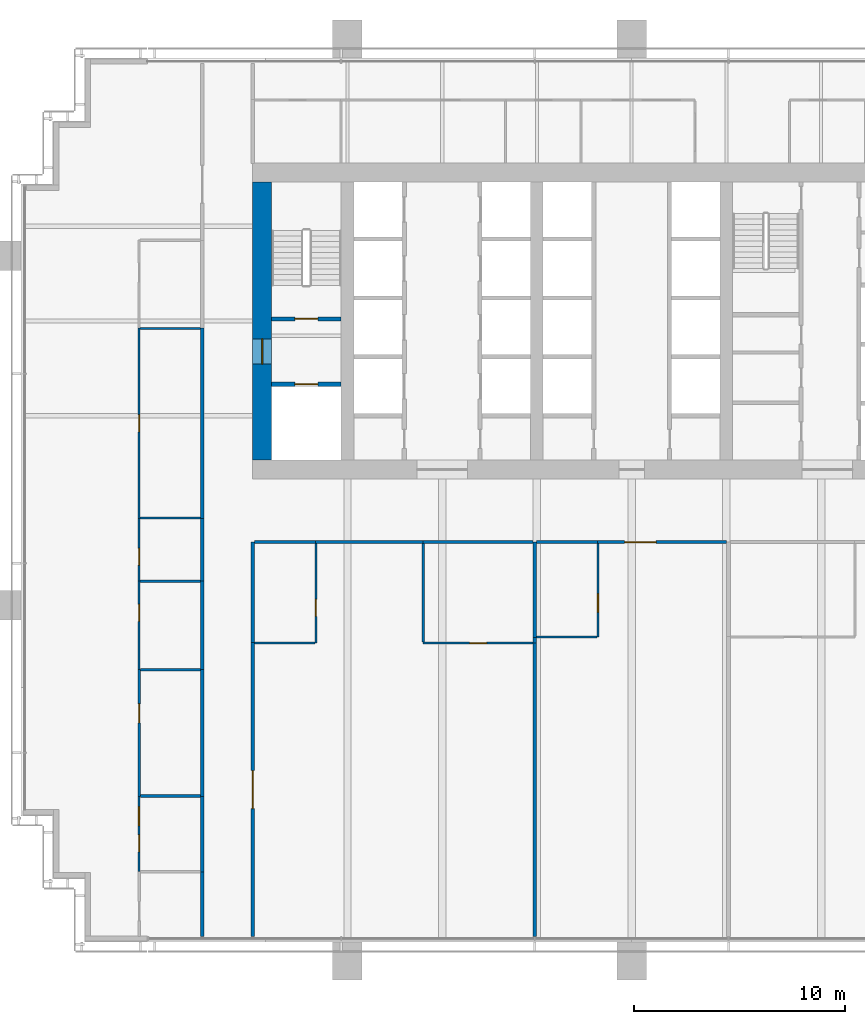
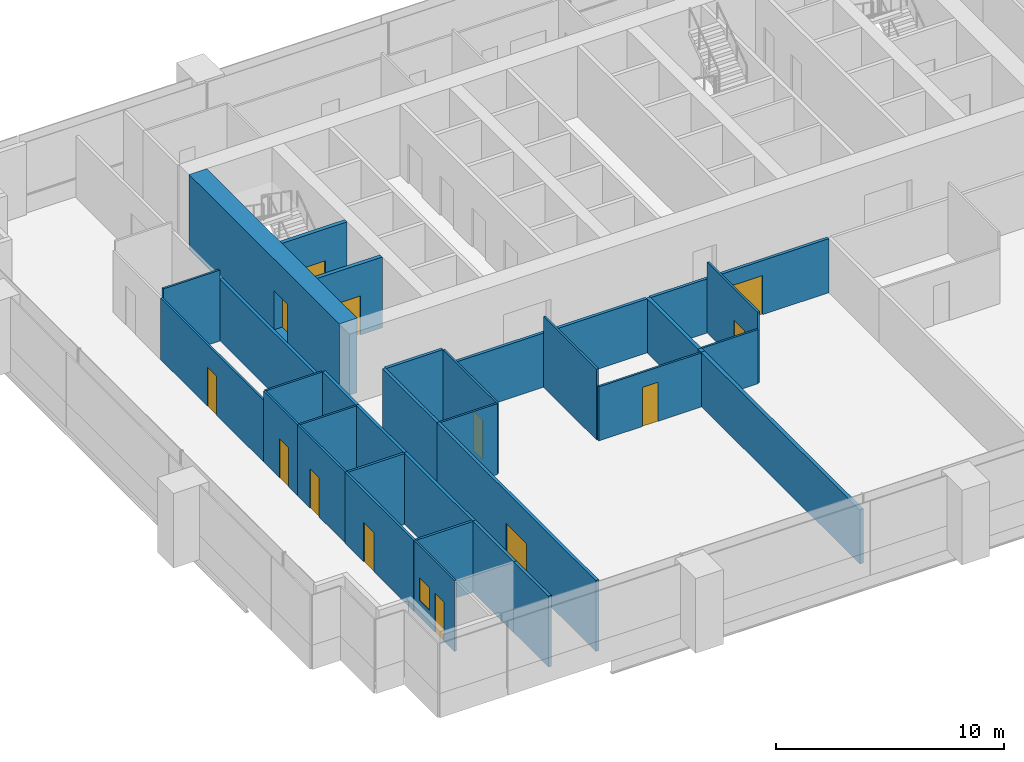
# One storey, part 10 of 17: 35 walls, 13 doors, 1 window, 14 openings.
"""IFC4 building model written with IfcOpenShell, lengths in metres."""

from ifc_helpers import new_model, si_unit, direction, frame, frame_2d, origin, place, context, subcontext, project, spatial, rectangle, extrude, material, layer, layer_set, type_object, element, fill, save


model = new_model("IFC4")

# Units and contexts
model_context = context("Model", 3, precision=1e-05, world=origin(), true_north=direction((0.0, 1.0)))
body_context = subcontext(model_context, "Body", "Model", "MODEL_VIEW")
ifc_project = project(units=[si_unit("LENGTHUNIT", "METRE"), si_unit("AREAUNIT", "SQUARE_METRE"), si_unit("VOLUMEUNIT", "CUBIC_METRE"), si_unit("PLANEANGLEUNIT", "RADIAN"), si_unit("MASSUNIT", "GRAM", prefix="KILO")], contexts=[model_context])

# Site, building, storey
site_placement = place(None, origin())
site = spatial("IfcSite", under=ifc_project, at=site_placement, CompositionType="ELEMENT")
building_placement = place(site_placement, origin())
building = spatial("IfcBuilding", under=site, at=building_placement, Name="Rattan Terrace Tower", CompositionType="ELEMENT")
storey_placement = place(building_placement, frame((0.0, 0.0, 146.10009765625)))
storey = spatial("IfcBuildingStorey", under=building, at=storey_placement, Name="L33", CompositionType="ELEMENT", Elevation=146.10009765625)

# Wall, opening, door
ifc_material_1 = material(Name="Gypsum board partition")
ifc_layer_1 = layer(ifc_material_1, 0.199951171875)
ifc_layer_set_1 = layer_set([ifc_layer_1], Name="Core partition 200")
wall_type_1 = type_object("IfcWallType", Name="Core partition 200", PredefinedType="PARTITIONING", material=ifc_layer_set_1)
wall_1_placement = place(storey_placement, frame((-17.10009765625, -3.0, 0.0), z_axis=(0.0, 0.0, 1.0), x_axis=(1.0, 0.0, 0.0)))
wall_1 = element("IfcWall", 1, at=wall_1_placement, inside=storey, type_object=wall_type_1, Name="Fire-fighting lobby wall", PredefinedType="PARTITIONING", context=body_context, shape_type="SweptSolid", body=[
    extrude(rectangle(XDim=3.300048828125, YDim=0.199951171875, at=frame_2d((1.64990234375, 0.0))), origin(), (0.0, 0.0, 1.0), 3.7998046875),
])
opening_1_placement = place(wall_1_placement, frame((1.10009765625, 0.0, 0.0)))
opening_1 = element("IfcOpeningElement", 2, at=opening_1_placement, cuts=wall_1, Name="Opening L33-LD-FF1", PredefinedType="OPENING", context=body_context, shape_type="SweptSolid", body=[
    extrude(rectangle(XDim=1.10009765625, YDim=2.10009765625, at=frame_2d((0.550048828125, 1.050048828125))), frame((0.0, 0.110595703125, 0.0), z_axis=(0.0, -1.0, 0.0), x_axis=(1.0, 0.0, 0.0)), (0.0, 0.0, 1.0), 0.220947265625),
])
ifc_material_2 = material(Name="Brushed stainless landing door panel")
door_type_1 = type_object("IfcDoorType", Name="Core lift landing door 1100", OperationType="DOUBLE_DOOR_SLIDING", PredefinedType="DOOR", material=ifc_material_2)
door_1_placement = place(opening_1_placement, origin())
door_1 = element("IfcDoor", 3, at=door_1_placement, inside=storey, type_object=door_type_1, Name="Door L33-LD-FF1", OperationType="DOUBLE_DOOR_SLIDING", OverallHeight=2.10009765625, OverallWidth=1.10009765625, PredefinedType="DOOR", context=body_context, shape_type="SweptSolid", body=[
    extrude(rectangle(XDim=1.10009765625, YDim=2.10009765625, at=frame_2d((0.550048828125, 1.050048828125))), frame((0.0, 0.02490234375, 0.0), z_axis=(0.0, -1.0, 0.0), x_axis=(1.0, 0.0, 0.0)), (0.0, 0.0, 1.0), 0.050048828125),
])
fill(opening_1, door_1)

wall_2_placement = place(storey_placement, frame((-17.10009765625, 0.10009765625, 0.0), z_axis=(0.0, 0.0, 1.0), x_axis=(1.0, 0.0, 0.0)))
wall_2 = element("IfcWall", 4, at=wall_2_placement, inside=storey, type_object=wall_type_1, Name="Stair enclosure wall", PredefinedType="PARTITIONING", context=body_context, shape_type="SweptSolid", body=[
    extrude(rectangle(XDim=3.300048828125, YDim=0.199951171875, at=frame_2d((1.64990234375, 0.0))), origin(), (0.0, 0.0, 1.0), 3.7998046875),
])
opening_2_placement = place(wall_2_placement, frame((1.10009765625, 0.0, 0.0)))
opening_2 = element("IfcOpeningElement", 5, at=opening_2_placement, cuts=wall_2, Name="Opening L33-D002", PredefinedType="OPENING", context=body_context, shape_type="SweptSolid", body=[
    extrude(rectangle(XDim=1.10009765625, YDim=2.10009765625, at=frame_2d((0.550048828125, 1.050048828125))), frame((0.0, 0.110595703125, 0.0), z_axis=(0.0, -1.0, 0.0), x_axis=(1.0, 0.0, 0.0)), (0.0, 0.0, 1.0), 0.220947265625),
])
ifc_material_3 = material(Name="Hollow-metal fire door leaf")
door_type_2 = type_object("IfcDoorType", Name="Core stair door 1100", OperationType="NOTDEFINED", PredefinedType="DOOR", material=ifc_material_3)
door_2_placement = place(opening_2_placement, origin())
door_2 = element("IfcDoor", 6, at=door_2_placement, inside=storey, type_object=door_type_2, Name="Door L33-D002", OperationType="SINGLE_SWING_LEFT", OverallHeight=2.10009765625, OverallWidth=1.10009765625, PredefinedType="DOOR", context=body_context, shape_type="SweptSolid", body=[
    extrude(rectangle(XDim=1.10009765625, YDim=2.10009765625, at=frame_2d((0.550048828125, 1.050048828125))), frame((0.0, 0.02490234375, 0.0), z_axis=(0.0, -1.0, 0.0), x_axis=(1.0, 0.0, 0.0)), (0.0, 0.0, 1.0), 0.050048828125),
])
fill(opening_2, door_2)

ifc_material_4 = material(Name="Concrete C60/75", Category="concrete")
ifc_layer_2 = layer(ifc_material_4, 0.89990234375)
ifc_layer_set_2 = layer_set([ifc_layer_2], Name="Core ring wall 900 C60/75")
wall_type_2 = type_object("IfcWallType", Name="Core ring wall 900 C60/75", PredefinedType="SHEAR", material=ifc_layer_set_2)
wall_3_placement = place(storey_placement, frame((-17.550048828125, -6.60009765625, -0.2001953125), z_axis=(0.0, 0.0, 1.0), x_axis=(0.0, 1.0, 0.0)))
wall_3 = element("IfcWall", 7, at=wall_3_placement, inside=storey, type_object=wall_type_2, Name="Rear core wall west", PredefinedType="SHEAR", context=body_context, shape_type="SweptSolid", body=[
    extrude(rectangle(XDim=13.2001953125, YDim=0.89990234375, at=frame_2d((6.60009765625, 0.0))), origin(), (0.0, 0.0, 1.0), 4.0),
])
opening_3_placement = place(wall_3_placement, frame((4.550048828125, 0.0, 0.199951171875)))
opening_3 = element("IfcOpeningElement", 8, at=opening_3_placement, cuts=wall_3, Name="Opening L33-D001", PredefinedType="OPENING", context=body_context, shape_type="SweptSolid", body=[
    extrude(rectangle(XDim=1.199951171875, YDim=2.10009765625, at=frame_2d((0.60009765625, 1.050048828125))), frame((0.0, 0.46044921875, 0.0), z_axis=(0.0, -1.0, 0.0), x_axis=(1.0, 0.0, 0.0)), (0.0, 0.0, 1.0), 0.9208984375),
])
ifc_material_5 = material(Name="Hollow-metal fire door leaf")
door_type_3 = type_object("IfcDoorType", Name="Core fire-fighting lobby door 1200", OperationType="NOTDEFINED", PredefinedType="DOOR", material=ifc_material_5)
door_3_placement = place(opening_3_placement, origin())
door_3 = element("IfcDoor", 9, at=door_3_placement, inside=storey, type_object=door_type_3, Name="Door L33-D001", OperationType="SINGLE_SWING_RIGHT", OverallHeight=2.10009765625, OverallWidth=1.199951171875, PredefinedType="DOOR", context=body_context, shape_type="SweptSolid", body=[
    extrude(rectangle(XDim=1.199951171875, YDim=2.10009765625, at=frame_2d((0.60009765625, 1.050048828125))), frame((0.0, 0.02490234375, 0.0), z_axis=(0.0, -1.0, 0.0), x_axis=(1.0, 0.0, 0.0)), (0.0, 0.0, 1.0), 0.050048828125),
])
fill(opening_3, door_3)

# Walls
ifc_material_6 = material(Name="Double steel stud acoustic partition, gypsum board, mineral wool, fire rated", Category="steel")
ifc_layer_3 = layer(ifc_material_6, 0.179931640625)
ifc_layer_set_3 = layer_set([ifc_layer_3], Name="Floors Acoustic Party Wall 180")
wall_type_3 = type_object("IfcWallType", Name="Floors Acoustic Party Wall 180", PredefinedType="PARTITIONING", material=ifc_layer_set_3)
wall_4_placement = place(storey_placement, frame((-4.60009765625, -15.300048828125, 0.0), z_axis=(0.0, 0.0, 1.0), x_axis=(0.0, -1.0, 0.0)))
element("IfcWall", 10, at=wall_4_placement, inside=storey, type_object=wall_type_3, Name="pt-L33-076", PredefinedType="PARTITIONING", context=body_context, shape_type="SweptSolid", body=[
    extrude(rectangle(XDim=13.93994140625, YDim=0.179931640625, at=frame_2d((6.969970703125, 0.0))), origin(), (0.0, 0.0, 1.0), 2.89990234375),
])
wall_5_placement = place(storey_placement, frame((-4.60009765625, -15.02001953125, 0.0), z_axis=(0.0, 0.0, 1.0), x_axis=(0.0, -1.0, 0.0)))
element("IfcWall", 11, at=wall_5_placement, inside=storey, type_object=wall_type_3, Name="pt-L33-077", PredefinedType="PARTITIONING", context=body_context, shape_type="SweptSolid", body=[
    extrude(rectangle(XDim=0.280029296875, YDim=0.179931640625, at=frame_2d((0.14013671875, 0.0))), origin(), (0.0, 0.0, 1.0), 2.89990234375),
])
wall_6_placement = place(storey_placement, frame((-4.60009765625, -10.5, 0.0), z_axis=(0.0, 0.0, 1.0), x_axis=(0.0, -1.0, 0.0)))
element("IfcWall", 12, at=wall_6_placement, inside=storey, type_object=wall_type_3, Name="pt-L33-078", PredefinedType="PARTITIONING", context=body_context, shape_type="SweptSolid", body=[
    extrude(rectangle(XDim=4.52001953125, YDim=0.179931640625, at=frame_2d((2.260009765625, 0.0))), origin(), (0.0, 0.0, 1.0), 2.89990234375),
])

# Wall, openings, door, window
ifc_material_7 = material(Name="Gypsum board partition on steel studs", Category="steel")
ifc_layer_4 = layer(ifc_material_7, 0.10009765625)
ifc_layer_set_4 = layer_set([ifc_layer_4], Name="Floors Partition 100")
wall_type_4 = type_object("IfcWallType", Name="Floors Partition 100", PredefinedType="PARTITIONING", material=ifc_layer_set_4)
wall_7_placement = place(storey_placement, frame((-23.39990234375, -22.580078125, 0.0), z_axis=(0.0, 0.0, 1.0), x_axis=(0.0, -1.0, 0.0)))
wall_7 = element("IfcWall", 13, at=wall_7_placement, inside=storey, type_object=wall_type_4, Name="pt-L33-032", PredefinedType="PARTITIONING", context=body_context, shape_type="SweptSolid", body=[
    extrude(rectangle(XDim=3.559814453125, YDim=0.10009765625, at=frame_2d((1.77978515625, 0.0))), origin(), (0.0, 0.0, 1.0), 3.7998046875),
])
opening_4_placement = place(wall_7_placement, frame((1.83203125, 0.0, 0.0)))
opening_4 = element("IfcOpeningElement", 14, at=opening_4_placement, cuts=wall_7, Name="Opening L33-D102", PredefinedType="OPENING", context=body_context, shape_type="SweptSolid", body=[
    extrude(rectangle(XDim=0.800048828125, YDim=2.10009765625, at=frame_2d((0.39990234375, 1.050048828125))), frame((0.0, 0.060546875, 0.0), z_axis=(0.0, -1.0, 0.0), x_axis=(1.0, 0.0, 0.0)), (0.0, 0.0, 1.0), 0.12109375),
])
opening_5_placement = place(wall_7_placement, frame((0.486083984375, 0.0, 0.89990234375)))
opening_5 = element("IfcOpeningElement", 15, at=opening_5_placement, cuts=wall_7, Name="Opening L33-W100", PredefinedType="OPENING", context=body_context, shape_type="SweptSolid", body=[
    extrude(rectangle(XDim=0.89990234375, YDim=1.199951171875, at=frame_2d((0.449951171875, 0.60009765625))), frame((0.0, 0.060546875, 0.0), z_axis=(0.0, -1.0, 0.0), x_axis=(1.0, 0.0, 0.0)), (0.0, 0.0, 1.0), 0.12109375),
])
ifc_material_8 = material(Name="Solid core timber door, painted", Category="wood")
door_type_4 = type_object("IfcDoorType", Name="Floors Store Door 800x2100", OperationType="NOTDEFINED", PredefinedType="DOOR", material=ifc_material_8)
door_4_placement = place(opening_4_placement, origin())
door_4 = element("IfcDoor", 16, at=door_4_placement, inside=storey, type_object=door_type_4, Name="d-L33-102", OperationType="SINGLE_SWING_RIGHT", OverallHeight=2.10009765625, OverallWidth=0.800048828125, PredefinedType="DOOR", context=body_context, shape_type="SweptSolid", body=[
    extrude(rectangle(XDim=0.800048828125, YDim=2.10009765625, at=frame_2d((0.39990234375, 1.050048828125))), frame((0.0, 0.02490234375, 0.0), z_axis=(0.0, -1.0, 0.0), x_axis=(1.0, 0.0, 0.0)), (0.0, 0.0, 1.0), 0.050048828125),
])
fill(opening_4, door_4)
ifc_material_9 = material(Name="Glass, clear, fixed in aluminium frame", Category="aluminium")
window_type = type_object("IfcWindowType", Name="Interior Vision Window 900x1200", PartitioningType="SINGLE_PANEL", PredefinedType="WINDOW", material=ifc_material_9)
window_placement = place(opening_5_placement, origin())
window = element("IfcWindow", 17, at=window_placement, inside=storey, type_object=window_type, Name="w-L33-100", OverallHeight=1.199951171875, OverallWidth=0.89990234375, PartitioningType="SINGLE_PANEL", PredefinedType="WINDOW", context=body_context, shape_type="SweptSolid", body=[
    extrude(rectangle(XDim=0.89990234375, YDim=1.199951171875, at=frame_2d((0.449951171875, 0.60009765625))), frame((0.0, 0.030029296875, 0.0), z_axis=(0.0, -1.0, 0.0), x_axis=(1.0, 0.0, 0.0)), (0.0, 0.0, 1.0), 0.06005859375),
])
fill(opening_5, window)

# Wall, opening, door
wall_8_placement = place(storey_placement, frame((-23.39990234375, -12.340087890625, 0.0), z_axis=(0.0, 0.0, 1.0), x_axis=(0.0, -1.0, 0.0)))
wall_8 = element("IfcWall", 18, at=wall_8_placement, inside=storey, type_object=wall_type_4, Name="pt-L33-034", PredefinedType="PARTITIONING", context=body_context, shape_type="SweptSolid", body=[
    extrude(rectangle(XDim=4.199951171875, YDim=0.10009765625, at=frame_2d((2.10009765625, 0.0))), origin(), (0.0, 0.0, 1.0), 3.7998046875),
])
opening_6_placement = place(wall_8_placement, frame((1.1201171875, 0.0, 0.0)))
opening_6 = element("IfcOpeningElement", 19, at=opening_6_placement, cuts=wall_8, Name="Opening L33-D104", PredefinedType="OPENING", context=body_context, shape_type="SweptSolid", body=[
    extrude(rectangle(XDim=0.800048828125, YDim=2.10009765625, at=frame_2d((0.39990234375, 1.050048828125))), frame((0.0, 0.060546875, 0.0), z_axis=(0.0, -1.0, 0.0), x_axis=(1.0, 0.0, 0.0)), (0.0, 0.0, 1.0), 0.12109375),
])
door_5_placement = place(opening_6_placement, origin())
door_5 = element("IfcDoor", 20, at=door_5_placement, inside=storey, type_object=door_type_4, Name="d-L33-104", OperationType="SINGLE_SWING_LEFT", OverallHeight=2.10009765625, OverallWidth=0.800048828125, PredefinedType="DOOR", context=body_context, shape_type="SweptSolid", body=[
    extrude(rectangle(XDim=0.800048828125, YDim=2.10009765625, at=frame_2d((0.39990234375, 1.050048828125))), frame((0.0, 0.02490234375, 0.0), z_axis=(0.0, -1.0, 0.0), x_axis=(1.0, 0.0, 0.0)), (0.0, 0.0, 1.0), 0.050048828125),
])
fill(opening_6, door_5)

wall_9_placement = place(storey_placement, frame((-23.39990234375, -9.3798828125, 0.0), z_axis=(0.0, 0.0, 1.0), x_axis=(0.0, -1.0, 0.0)))
wall_9 = element("IfcWall", 21, at=wall_9_placement, inside=storey, type_object=wall_type_4, Name="pt-L33-035", PredefinedType="PARTITIONING", context=body_context, shape_type="SweptSolid", body=[
    extrude(rectangle(XDim=2.960205078125, YDim=0.10009765625, at=frame_2d((1.47998046875, 0.0))), origin(), (0.0, 0.0, 1.0), 3.7998046875),
])
opening_7_placement = place(wall_9_placement, frame((1.412109375, 0.0, 0.0)))
opening_7 = element("IfcOpeningElement", 22, at=opening_7_placement, cuts=wall_9, Name="Opening L33-D105", PredefinedType="OPENING", context=body_context, shape_type="SweptSolid", body=[
    extrude(rectangle(XDim=0.800048828125, YDim=2.10009765625, at=frame_2d((0.39990234375, 1.050048828125))), frame((0.0, 0.060546875, 0.0), z_axis=(0.0, -1.0, 0.0), x_axis=(1.0, 0.0, 0.0)), (0.0, 0.0, 1.0), 0.12109375),
])
door_6_placement = place(opening_7_placement, origin())
door_6 = element("IfcDoor", 23, at=door_6_placement, inside=storey, type_object=door_type_4, Name="d-L33-105", OperationType="SINGLE_SWING_RIGHT", OverallHeight=2.10009765625, OverallWidth=0.800048828125, PredefinedType="DOOR", context=body_context, shape_type="SweptSolid", body=[
    extrude(rectangle(XDim=0.800048828125, YDim=2.10009765625, at=frame_2d((0.39990234375, 1.050048828125))), frame((0.0, 0.02490234375, 0.0), z_axis=(0.0, -1.0, 0.0), x_axis=(1.0, 0.0, 0.0)), (0.0, 0.0, 1.0), 0.050048828125),
])
fill(opening_7, door_6)

wall_10_placement = place(storey_placement, frame((-23.39990234375, -0.340087890625, 0.0), z_axis=(0.0, 0.0, 1.0), x_axis=(0.0, -1.0, 0.0)))
wall_10 = element("IfcWall", 24, at=wall_10_placement, inside=storey, type_object=wall_type_4, Name="pt-L33-036", PredefinedType="PARTITIONING", context=body_context, shape_type="SweptSolid", body=[
    extrude(rectangle(XDim=9.039794921875, YDim=0.10009765625, at=frame_2d((4.52001953125, 0.0))), origin(), (0.0, 0.0, 1.0), 3.2998046875),
])
opening_8_placement = place(wall_10_placement, frame((4.1201171875, 0.0, 0.0)))
opening_8 = element("IfcOpeningElement", 25, at=opening_8_placement, cuts=wall_10, Name="Opening L33-D106", PredefinedType="OPENING", context=body_context, shape_type="SweptSolid", body=[
    extrude(rectangle(XDim=0.800048828125, YDim=2.10009765625, at=frame_2d((0.39990234375, 1.050048828125))), frame((0.0, 0.060546875, 0.0), z_axis=(0.0, -1.0, 0.0), x_axis=(1.0, 0.0, 0.0)), (0.0, 0.0, 1.0), 0.12109375),
])
door_7_placement = place(opening_8_placement, origin())
door_7 = element("IfcDoor", 26, at=door_7_placement, inside=storey, type_object=door_type_4, Name="d-L33-106", OperationType="SINGLE_SWING_LEFT", OverallHeight=2.10009765625, OverallWidth=0.800048828125, PredefinedType="DOOR", context=body_context, shape_type="SweptSolid", body=[
    extrude(rectangle(XDim=0.800048828125, YDim=2.10009765625, at=frame_2d((0.39990234375, 1.050048828125))), frame((0.0, 0.02490234375, 0.0), z_axis=(0.0, -1.0, 0.0), x_axis=(1.0, 0.0, 0.0)), (0.0, 0.0, 1.0), 0.050048828125),
])
fill(opening_8, door_7)

# Walls
for number, where, z_axis, x_axis, name in (
    (27, (-23.35009765625, -12.360107421875, 0.0), (0.0, 0.0, 1.0), (1.0, 0.0, 0.0), "pt-L33-042"),
    (28, (-23.35009765625, -9.360107421875, 0.0), (0.0, 0.0, 1.0), (1.0, 0.0, 0.0), "pt-L33-043"),
    (29, (-23.35009765625, -0.360107421875, 0.0), (0.0, 0.0, 1.0), (1.0, 0.0, 0.0), "pt-L33-044"),
    (30, (-17.925048828125, -15.300048828125, 0.0), (0.0, 0.0, 1.0), (1.0, 0.0, 0.0), "pt-L33-072"),
):
    element("IfcWall", number, at=place(storey_placement, frame(where, z_axis=z_axis, x_axis=x_axis)), inside=storey, type_object=wall_type_4, Name=name, PredefinedType="PARTITIONING", context=body_context, shape_type="SweptSolid", body=[
        extrude(rectangle(XDim=2.875, YDim=0.10009765625, at=frame_2d((1.4375, 0.0))), origin(), (0.0, 0.0, 1.0), 3.7998046875),
    ])

# Wall, opening, door
wall_11_placement = place(storey_placement, frame((-15.0, -15.300048828125, 0.0), z_axis=(0.0, 0.0, 1.0), x_axis=(0.0, 1.0, 0.0)))
wall_11 = element("IfcWall", 31, at=wall_11_placement, inside=storey, type_object=wall_type_4, Name="pt-L33-073", PredefinedType="PARTITIONING", context=body_context, shape_type="SweptSolid", body=[
    extrude(rectangle(XDim=4.72509765625, YDim=0.10009765625, at=frame_2d((2.362548828125, 0.0))), origin(), (0.0, 0.0, 1.0), 3.7998046875),
])
opening_9_placement = place(wall_11_placement, frame((1.278076171875, 0.0, 0.0)))
opening_9 = element("IfcOpeningElement", 32, at=opening_9_placement, cuts=wall_11, Name="Opening L33-D124", PredefinedType="OPENING", context=body_context, shape_type="SweptSolid", body=[
    extrude(rectangle(XDim=0.800048828125, YDim=2.10009765625, at=frame_2d((0.39990234375, 1.050048828125))), frame((0.0, 0.060546875, 0.0), z_axis=(0.0, -1.0, 0.0), x_axis=(1.0, 0.0, 0.0)), (0.0, 0.0, 1.0), 0.12109375),
])
door_8_placement = place(opening_9_placement, origin())
door_8 = element("IfcDoor", 33, at=door_8_placement, inside=storey, type_object=door_type_4, Name="d-L33-124", OperationType="SINGLE_SWING_LEFT", OverallHeight=2.10009765625, OverallWidth=0.800048828125, PredefinedType="DOOR", context=body_context, shape_type="SweptSolid", body=[
    extrude(rectangle(XDim=0.800048828125, YDim=2.10009765625, at=frame_2d((0.39990234375, 1.050048828125))), frame((0.0, 0.02490234375, 0.0), z_axis=(0.0, -1.0, 0.0), x_axis=(1.0, 0.0, 0.0)), (0.0, 0.0, 1.0), 0.050048828125),
])
fill(opening_9, door_8)

# Wall
wall_12_placement = place(storey_placement, frame((-9.89990234375, -10.574951171875, 0.0), z_axis=(0.0, 0.0, 1.0), x_axis=(0.0, -1.0, 0.0)))
element("IfcWall", 34, at=wall_12_placement, inside=storey, type_object=wall_type_4, Name="pt-L33-074", PredefinedType="PARTITIONING", context=body_context, shape_type="SweptSolid", body=[
    extrude(rectangle(XDim=4.675048828125, YDim=0.10009765625, at=frame_2d((2.33740234375, 0.0))), origin(), (0.0, 0.0, 1.0), 3.7998046875),
])

# Wall, opening, door
wall_13_placement = place(storey_placement, frame((-9.89990234375, -15.300048828125, 0.0), z_axis=(0.0, 0.0, 1.0), x_axis=(1.0, 0.0, 0.0)))
wall_13 = element("IfcWall", 35, at=wall_13_placement, inside=storey, type_object=wall_type_4, Name="pt-L33-075", PredefinedType="PARTITIONING", context=body_context, shape_type="SweptSolid", body=[
    extrude(rectangle(XDim=5.2099609375, YDim=0.10009765625, at=frame_2d((2.60498046875, 0.0))), origin(), (0.0, 0.0, 1.0), 2.89990234375),
])
opening_10_placement = place(wall_13_placement, frame((2.205078125, 0.0, 0.0)))
opening_10 = element("IfcOpeningElement", 36, at=opening_10_placement, cuts=wall_13, Name="Opening L33-D125", PredefinedType="OPENING", context=body_context, shape_type="SweptSolid", body=[
    extrude(rectangle(XDim=0.800048828125, YDim=2.10009765625, at=frame_2d((0.39990234375, 1.050048828125))), frame((0.0, 0.060546875, 0.0), z_axis=(0.0, -1.0, 0.0), x_axis=(1.0, 0.0, 0.0)), (0.0, 0.0, 1.0), 0.12109375),
])
door_9_placement = place(opening_10_placement, origin())
door_9 = element("IfcDoor", 37, at=door_9_placement, inside=storey, type_object=door_type_4, Name="d-L33-125", OperationType="SINGLE_SWING_RIGHT", OverallHeight=2.10009765625, OverallWidth=0.800048828125, PredefinedType="DOOR", context=body_context, shape_type="SweptSolid", body=[
    extrude(rectangle(XDim=0.800048828125, YDim=2.10009765625, at=frame_2d((0.39990234375, 1.050048828125))), frame((0.0, 0.02490234375, 0.0), z_axis=(0.0, -1.0, 0.0), x_axis=(1.0, 0.0, 0.0)), (0.0, 0.0, 1.0), 0.050048828125),
])
fill(opening_10, door_9)

# Wall
wall_14_placement = place(storey_placement, frame((-4.510009765625, -15.0, 0.0), z_axis=(0.0, 0.0, 1.0), x_axis=(1.0, 0.0, 0.0)))
element("IfcWall", 38, at=wall_14_placement, inside=storey, type_object=wall_type_4, Name="pt-L33-079", PredefinedType="PARTITIONING", context=body_context, shape_type="SweptSolid", body=[
    extrude(rectangle(XDim=2.860107421875, YDim=0.10009765625, at=frame_2d((1.43017578125, 0.0))), origin(), (0.0, 0.0, 1.0), 2.89990234375),
])

# Wall, opening, door
wall_15_placement = place(storey_placement, frame((-1.60009765625, -15.0, 0.0), z_axis=(0.0, 0.0, 1.0), x_axis=(0.0, 1.0, 0.0)))
wall_15 = element("IfcWall", 39, at=wall_15_placement, inside=storey, type_object=wall_type_4, Name="pt-L33-080", PredefinedType="PARTITIONING", context=body_context, shape_type="SweptSolid", body=[
    extrude(rectangle(XDim=4.425048828125, YDim=0.10009765625, at=frame_2d((2.21240234375, 0.0))), origin(), (0.0, 0.0, 1.0), 3.7998046875),
])
opening_11_placement = place(wall_15_placement, frame((1.157958984375, 0.0, 0.0)))
opening_11 = element("IfcOpeningElement", 40, at=opening_11_placement, cuts=wall_15, Name="Opening L33-D127", PredefinedType="OPENING", context=body_context, shape_type="SweptSolid", body=[
    extrude(rectangle(XDim=0.89990234375, YDim=2.10009765625, at=frame_2d((0.449951171875, 1.050048828125))), frame((0.0, 0.060546875, 0.0), z_axis=(0.0, -1.0, 0.0), x_axis=(1.0, 0.0, 0.0)), (0.0, 0.0, 1.0), 0.12109375),
])
ifc_material_10 = material(Name="Solid core timber door, painted", Category="wood")
door_type_5 = type_object("IfcDoorType", Name="Floors Door 900x2100", OperationType="NOTDEFINED", PredefinedType="DOOR", material=ifc_material_10)
door_10_placement = place(opening_11_placement, origin())
door_10 = element("IfcDoor", 41, at=door_10_placement, inside=storey, type_object=door_type_5, Name="d-L33-127", OperationType="SINGLE_SWING_LEFT", OverallHeight=2.10009765625, OverallWidth=0.89990234375, PredefinedType="DOOR", context=body_context, shape_type="SweptSolid", body=[
    extrude(rectangle(XDim=0.89990234375, YDim=2.10009765625, at=frame_2d((0.449951171875, 1.050048828125))), frame((0.0, 0.02490234375, 0.0), z_axis=(0.0, -1.0, 0.0), x_axis=(1.0, 0.0, 0.0)), (0.0, 0.0, 1.0), 0.050048828125),
])
fill(opening_11, door_10)

# Walls
ifc_material_11 = material(Name="Gypsum board partition on steel studs, fire rated", Category="steel")
ifc_layer_5 = layer(ifc_material_11, 0.14990234375)
ifc_layer_set_5 = layer_set([ifc_layer_5], Name="Floors Tenancy Wall 150")
wall_type_5 = type_object("IfcWallType", Name="Floors Tenancy Wall 150", PredefinedType="PARTITIONING", material=ifc_layer_set_5)
wall_16_placement = place(storey_placement, frame((-20.39990234375, -29.239990234375, 0.0), z_axis=(0.0, 0.0, 1.0), x_axis=(0.0, 1.0, 0.0)))
element("IfcWall", 42, at=wall_16_placement, inside=storey, type_object=wall_type_5, Name="pt-L33-002", PredefinedType="PARTITIONING", context=body_context, shape_type="SweptSolid", body=[
    extrude(rectangle(XDim=3.06005859375, YDim=0.14990234375, at=frame_2d((1.530029296875, 0.0))), origin(), (0.0, 0.0, 1.0), 3.7998046875),
])
wall_17_placement = place(storey_placement, frame((-20.39990234375, -26.179931640625, 0.0), z_axis=(0.0, 0.0, 1.0), x_axis=(0.0, 1.0, 0.0)))
element("IfcWall", 43, at=wall_17_placement, inside=storey, type_object=wall_type_5, Name="pt-L33-003", PredefinedType="PARTITIONING", context=body_context, shape_type="SweptSolid", body=[
    extrude(rectangle(XDim=3.599853515625, YDim=0.14990234375, at=frame_2d((1.7998046875, 0.0))), origin(), (0.0, 0.0, 1.0), 3.7998046875),
])
wall_18_placement = place(storey_placement, frame((-20.39990234375, -22.580078125, 0.0), z_axis=(0.0, 0.0, 1.0), x_axis=(0.0, 1.0, 0.0)))
element("IfcWall", 44, at=wall_18_placement, inside=storey, type_object=wall_type_5, Name="pt-L33-004", PredefinedType="PARTITIONING", context=body_context, shape_type="SweptSolid", body=[
    extrude(rectangle(XDim=6.0400390625, YDim=0.14990234375, at=frame_2d((3.02001953125, 0.0))), origin(), (0.0, 0.0, 1.0), 3.7998046875),
])
wall_19_placement = place(storey_placement, frame((-20.39990234375, -16.5400390625, 0.0), z_axis=(0.0, 0.0, 1.0), x_axis=(0.0, 1.0, 0.0)))
element("IfcWall", 45, at=wall_19_placement, inside=storey, type_object=wall_type_5, Name="pt-L33-005", PredefinedType="PARTITIONING", context=body_context, shape_type="SweptSolid", body=[
    extrude(rectangle(XDim=4.199951171875, YDim=0.14990234375, at=frame_2d((2.10009765625, 0.0))), origin(), (0.0, 0.0, 1.0), 3.7998046875),
])
wall_20_placement = place(storey_placement, frame((-20.39990234375, -12.340087890625, 0.0), z_axis=(0.0, 0.0, 1.0), x_axis=(0.0, 1.0, 0.0)))
element("IfcWall", 46, at=wall_20_placement, inside=storey, type_object=wall_type_5, Name="pt-L33-006", PredefinedType="PARTITIONING", context=body_context, shape_type="SweptSolid", body=[
    extrude(rectangle(XDim=2.960205078125, YDim=0.14990234375, at=frame_2d((1.47998046875, 0.0))), origin(), (0.0, 0.0, 1.0), 3.7998046875),
])
wall_21_placement = place(storey_placement, frame((-20.39990234375, -9.3798828125, 0.0), z_axis=(0.0, 0.0, 1.0), x_axis=(0.0, 1.0, 0.0)))
element("IfcWall", 47, at=wall_21_placement, inside=storey, type_object=wall_type_5, Name="pt-L33-007", PredefinedType="PARTITIONING", context=body_context, shape_type="SweptSolid", body=[
    extrude(rectangle(XDim=9.039794921875, YDim=0.14990234375, at=frame_2d((4.52001953125, 0.0))), origin(), (0.0, 0.0, 1.0), 3.2998046875),
])

# Wall, opening, door
wall_22_placement = place(storey_placement, frame((-18.0, -15.280029296875, 0.0), z_axis=(0.0, 0.0, 1.0), x_axis=(0.0, -1.0, 0.0)))
wall_22 = element("IfcWall", 48, at=wall_22_placement, inside=storey, type_object=wall_type_5, Name="pt-L33-021", PredefinedType="PARTITIONING", context=body_context, shape_type="SweptSolid", body=[
    extrude(rectangle(XDim=13.9599609375, YDim=0.14990234375, at=frame_2d((6.97998046875, 0.0))), origin(), (0.0, 0.0, 1.0), 3.7998046875),
])
opening_12_placement = place(wall_22_placement, frame((6.080078125, 0.0, 0.0)))
opening_12 = element("IfcOpeningElement", 49, at=opening_12_placement, cuts=wall_22, Name="Opening L33-D123", PredefinedType="OPENING", context=body_context, shape_type="SweptSolid", body=[
    extrude(rectangle(XDim=1.800048828125, YDim=2.10009765625, at=frame_2d((0.89990234375, 1.050048828125))), frame((0.0, 0.08544921875, 0.0), z_axis=(0.0, -1.0, 0.0), x_axis=(1.0, 0.0, 0.0)), (0.0, 0.0, 1.0), 0.1708984375),
])
ifc_material_12 = material(Name="Steel fire door set", Category="steel")
door_type_6 = type_object("IfcDoorType", Name="Floors Fire Door Pair FD30S 1800x2100", OperationType="NOTDEFINED", PredefinedType="DOOR", material=ifc_material_12)
door_11_placement = place(opening_12_placement, origin())
door_11 = element("IfcDoor", 50, at=door_11_placement, inside=storey, type_object=door_type_6, Name="d-L33-123", OperationType="DOUBLE_DOOR_SINGLE_SWING", OverallHeight=2.10009765625, OverallWidth=1.800048828125, PredefinedType="DOOR", context=body_context, shape_type="SweptSolid", body=[
    extrude(rectangle(XDim=1.800048828125, YDim=2.10009765625, at=frame_2d((0.89990234375, 1.050048828125))), frame((0.0, 0.02490234375, 0.0), z_axis=(0.0, -1.0, 0.0), x_axis=(1.0, 0.0, 0.0)), (0.0, 0.0, 1.0), 0.050048828125),
])
fill(opening_12, door_11)

# Walls
wall_23_placement = place(storey_placement, frame((-9.919921875, -10.5, 0.0), z_axis=(0.0, 0.0, 1.0), x_axis=(-1.0, 0.0, 0.0)))
element("IfcWall", 51, at=wall_23_placement, inside=storey, type_object=wall_type_5, Name="pt-L33-022", PredefinedType="PARTITIONING", context=body_context, shape_type="SweptSolid", body=[
    extrude(rectangle(XDim=5.10009765625, YDim=0.14990234375, at=frame_2d((2.550048828125, 0.0))), origin(), (0.0, 0.0, 1.0), 2.89990234375),
])
wall_24_placement = place(storey_placement, frame((-18.0, -10.5, 0.0), z_axis=(0.0, 0.0, 1.0), x_axis=(0.0, -1.0, 0.0)))
element("IfcWall", 52, at=wall_24_placement, inside=storey, type_object=wall_type_5, Name="pt-L33-023", PredefinedType="PARTITIONING", context=body_context, shape_type="SweptSolid", body=[
    extrude(rectangle(XDim=4.780029296875, YDim=0.14990234375, at=frame_2d((2.39013671875, 0.0))), origin(), (0.0, 0.0, 1.0), 3.7998046875),
])
wall_25_placement = place(storey_placement, frame((-15.02001953125, -10.5, 0.0), z_axis=(0.0, 0.0, 1.0), x_axis=(-1.0, 0.0, 0.0)))
element("IfcWall", 53, at=wall_25_placement, inside=storey, type_object=wall_type_5, Name="pt-L33-024", PredefinedType="PARTITIONING", context=body_context, shape_type="SweptSolid", body=[
    extrude(rectangle(XDim=2.905029296875, YDim=0.14990234375, at=frame_2d((1.45263671875, 0.0))), origin(), (0.0, 0.0, 1.0), 3.7998046875),
])
wall_26_placement = place(storey_placement, frame((-4.68994140625, -10.5, 0.0), z_axis=(0.0, 0.0, 1.0), x_axis=(-1.0, 0.0, 0.0)))
element("IfcWall", 54, at=wall_26_placement, inside=storey, type_object=wall_type_5, Name="pt-L33-025", PredefinedType="PARTITIONING", context=body_context, shape_type="SweptSolid", body=[
    extrude(rectangle(XDim=5.22998046875, YDim=0.14990234375, at=frame_2d((2.614990234375, 0.0))), origin(), (0.0, 0.0, 1.0), 2.89990234375),
])

# Wall, opening, door
wall_27_placement = place(storey_placement, frame((4.510009765625, -10.5, 0.0), z_axis=(0.0, 0.0, 1.0), x_axis=(-1.0, 0.0, 0.0)))
wall_27 = element("IfcWall", 55, at=wall_27_placement, inside=storey, type_object=wall_type_5, Name="pt-L33-026", PredefinedType="PARTITIONING", context=body_context, shape_type="SweptSolid", body=[
    extrude(rectangle(XDim=6.130126953125, YDim=0.14990234375, at=frame_2d((3.06494140625, 0.0))), origin(), (0.0, 0.0, 1.0), 2.89990234375),
])
opening_13_placement = place(wall_27_placement, frame((3.347900390625, 0.0, 0.0)))
opening_13 = element("IfcOpeningElement", 56, at=opening_13_placement, cuts=wall_27, Name="Opening L33-D126", PredefinedType="OPENING", context=body_context, shape_type="SweptSolid", body=[
    extrude(rectangle(XDim=1.5, YDim=2.10009765625, at=frame_2d((0.75, 1.050048828125))), frame((0.0, 0.08544921875, 0.0), z_axis=(0.0, -1.0, 0.0), x_axis=(1.0, 0.0, 0.0)), (0.0, 0.0, 1.0), 0.1708984375),
])
ifc_material_13 = material(Name="Steel fire door set", Category="steel")
door_type_7 = type_object("IfcDoorType", Name="Floors Unit Door Pair FD30S 1500x2100", OperationType="NOTDEFINED", PredefinedType="DOOR", material=ifc_material_13)
door_12_placement = place(opening_13_placement, origin())
door_12 = element("IfcDoor", 57, at=door_12_placement, inside=storey, type_object=door_type_7, Name="d-L33-126", OperationType="DOUBLE_DOOR_SINGLE_SWING", OverallHeight=2.10009765625, OverallWidth=1.5, PredefinedType="DOOR", context=body_context, shape_type="SweptSolid", body=[
    extrude(rectangle(XDim=1.5, YDim=2.10009765625, at=frame_2d((0.75, 1.050048828125))), frame((0.0, 0.02490234375, 0.0), z_axis=(0.0, -1.0, 0.0), x_axis=(1.0, 0.0, 0.0)), (0.0, 0.0, 1.0), 0.050048828125),
])
fill(opening_13, door_12)

# Wall
wall_28_placement = place(storey_placement, frame((-1.6201171875, -10.5, 0.0), z_axis=(0.0, 0.0, 1.0), x_axis=(-1.0, 0.0, 0.0)))
element("IfcWall", 58, at=wall_28_placement, inside=storey, type_object=wall_type_5, Name="pt-L33-027", PredefinedType="PARTITIONING", context=body_context, shape_type="SweptSolid", body=[
    extrude(rectangle(XDim=2.889892578125, YDim=0.14990234375, at=frame_2d((1.44482421875, 0.0))), origin(), (0.0, 0.0, 1.0), 2.89990234375),
])

# Wall, opening, door
ifc_material_14 = material(Name="Moisture resistant gypsum board partition on steel studs with service cavity", Category="steel")
ifc_layer_6 = layer(ifc_material_14, 0.1201171875)
ifc_layer_set_6 = layer_set([ifc_layer_6], Name="Floors Wet Wall 120")
wall_type_6 = type_object("IfcWallType", Name="Floors Wet Wall 120", PredefinedType="PARTITIONING", material=ifc_layer_set_6)
wall_29_placement = place(storey_placement, frame((-23.39990234375, -16.5400390625, 0.0), z_axis=(0.0, 0.0, 1.0), x_axis=(0.0, -1.0, 0.0)))
wall_29 = element("IfcWall", 59, at=wall_29_placement, inside=storey, type_object=wall_type_6, Name="pt-L33-033", PredefinedType="PARTITIONING", context=body_context, shape_type="SweptSolid", body=[
    extrude(rectangle(XDim=6.0400390625, YDim=0.1201171875, at=frame_2d((3.02001953125, 0.0))), origin(), (0.0, 0.0, 1.0), 3.7998046875),
])
opening_14_placement = place(wall_29_placement, frame((1.64208984375, 0.0, 0.0)))
opening_14 = element("IfcOpeningElement", 60, at=opening_14_placement, cuts=wall_29, Name="Opening L33-D103", PredefinedType="OPENING", context=body_context, shape_type="SweptSolid", body=[
    extrude(rectangle(XDim=0.89990234375, YDim=2.10009765625, at=frame_2d((0.449951171875, 1.050048828125))), frame((0.0, 0.070556640625, 0.0), z_axis=(0.0, -1.0, 0.0), x_axis=(1.0, 0.0, 0.0)), (0.0, 0.0, 1.0), 0.14111328125),
])
door_13_placement = place(opening_14_placement, origin())
door_13 = element("IfcDoor", 61, at=door_13_placement, inside=storey, type_object=door_type_5, Name="d-L33-103", OperationType="SINGLE_SWING_LEFT", OverallHeight=2.10009765625, OverallWidth=0.89990234375, PredefinedType="DOOR", context=body_context, shape_type="SweptSolid", body=[
    extrude(rectangle(XDim=0.89990234375, YDim=2.10009765625, at=frame_2d((0.449951171875, 1.050048828125))), frame((0.0, 0.02490234375, 0.0), z_axis=(0.0, -1.0, 0.0), x_axis=(1.0, 0.0, 0.0)), (0.0, 0.0, 1.0), 0.050048828125),
])
fill(opening_14, door_13)

# Walls
for number, where, z_axis, x_axis, name in (
    (62, (-23.340087890625, -22.56005859375, 0.0), (0.0, 0.0, 1.0), (1.0, 0.0, 0.0), "pt-L33-040"),
    (63, (-23.340087890625, -16.56005859375, 0.0), (0.0, 0.0, 1.0), (1.0, 0.0, 0.0), "pt-L33-041"),
):
    element("IfcWall", number, at=place(storey_placement, frame(where, z_axis=z_axis, x_axis=x_axis)), inside=storey, type_object=wall_type_6, Name=name, PredefinedType="PARTITIONING", context=body_context, shape_type="SweptSolid", body=[
        extrude(rectangle(XDim=2.864990234375, YDim=0.1201171875, at=frame_2d((1.4326171875, 0.0))), origin(), (0.0, 0.0, 1.0), 3.7998046875),
    ])

save(model, "model.ifc")
